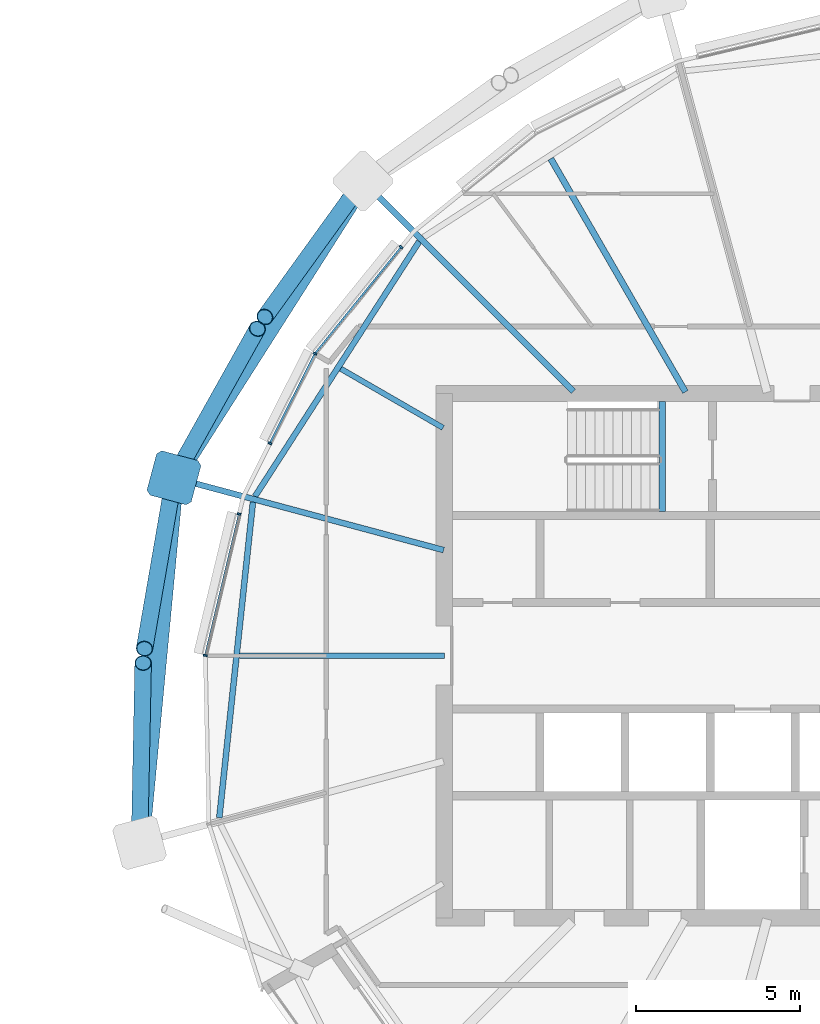
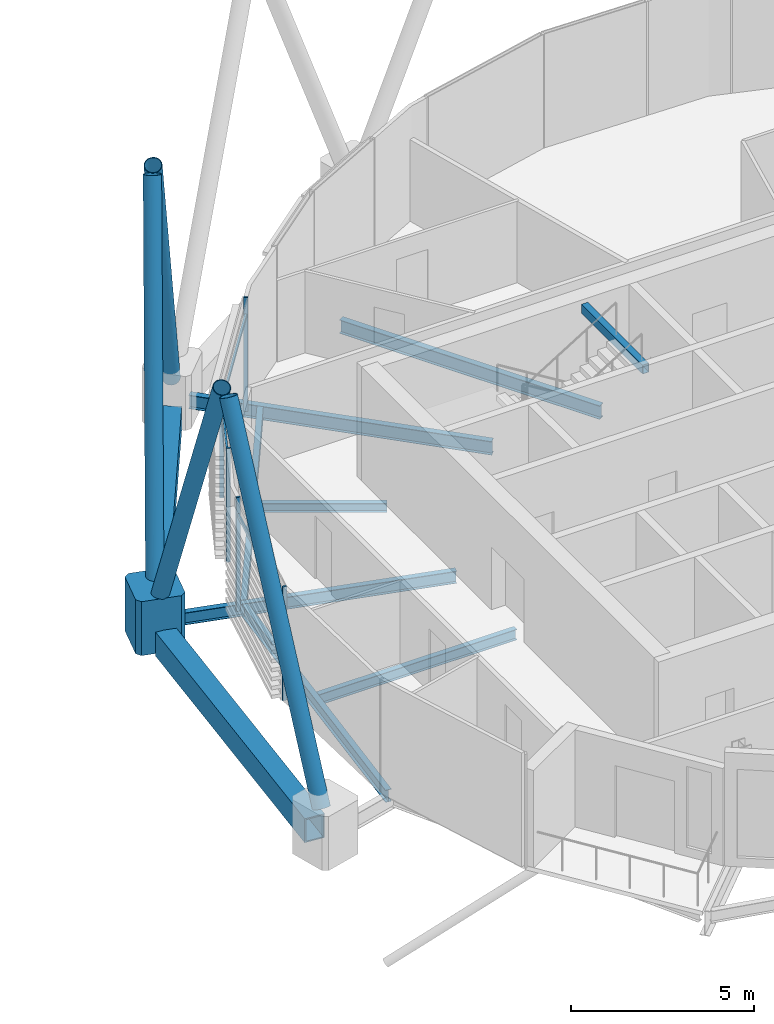
# One storey, part 12 of 32: 13 members, 10 beams, 1 element without a shape of its own.
"""IFC4 building model written with IfcOpenShell, lengths in metres."""

from ifc_helpers import new_model, si_unit, direction, frame, origin, origin_2d, place, context, subcontext, project, spatial, polyline, rectangle, hollow_rectangle, hollow_circle, i_section, outline, extrude, material, material_profile, profile_set, type_object, element, aggregate, save


model = new_model("IFC4")

# Units and contexts
model_context = context("Model", 3, precision=1e-05, world=origin(), true_north=direction((0.0, 1.0)))
body_context = subcontext(model_context, "Body", "Model", "MODEL_VIEW")
ifc_project = project(units=[si_unit("LENGTHUNIT", "METRE"), si_unit("AREAUNIT", "SQUARE_METRE"), si_unit("VOLUMEUNIT", "CUBIC_METRE"), si_unit("PLANEANGLEUNIT", "RADIAN"), si_unit("MASSUNIT", "GRAM", prefix="KILO")], contexts=[model_context])

# Site, building, storey
site_placement = place(None, origin())
site = spatial("IfcSite", under=ifc_project, at=site_placement, CompositionType="ELEMENT")
building_placement = place(site_placement, origin())
building = spatial("IfcBuilding", under=site, at=building_placement, Name="Rimbun Link Towers", CompositionType="ELEMENT")
storey_placement = place(building_placement, frame((0.0, 0.0, 233.300048828125)))
storey = spatial("IfcBuildingStorey", under=building, at=storey_placement, Name="L57", CompositionType="ELEMENT", Elevation=233.300048828125)

# Curtain wall, members
ifc_material_1 = material(Name="Aluminium 6063-T6 and low-iron glass", Category="aluminium")
curtain_wall_type = type_object("IfcCurtainWallType", Name="CW1-Z4 unitised vision wall (zone 4)", PredefinedType="NOTDEFINED", material=ifc_material_1)
curtain_wall_placement = place(storey_placement, origin())
curtain_wall = element("IfcCurtainWall", 1, at=curtain_wall_placement, inside=storey, type_object=curtain_wall_type, Name="CW1 L57 T2", PredefinedType="NOTDEFINED")
ifc_material_2 = material(Name="Aluminium 6063-T6", Category="aluminium")
ifc_material_profile_1 = material_profile(ifc_material_2, rectangle(XDim=0.1201171875, YDim=0.06005859375, at=origin_2d()), Name="MULLION 60X120")
ifc_profile_set_1 = profile_set([ifc_material_profile_1], Name="Aluminium 6063-T6")
member_type_1 = type_object("IfcMemberType", Name="CW1 mullion 60X120", PredefinedType="MULLION", material=ifc_profile_set_1)
member_1_placement = place(storey_placement, frame((15.797607421875, 9.213623046875, 0.0), z_axis=(0.0, 0.0, 1.0), x_axis=(-0.840317451193, 0.542094623862, 0.0)))
member_1 = element("IfcMember", 2, at=member_1_placement, type_object=member_type_1, Name="CW1 mullion", PredefinedType="MULLION", context=body_context, shape_type="SweptSolid", body=[
    extrude(rectangle(XDim=0.1201171875, YDim=0.06005859375, at=origin_2d()), origin(), (0.0, 0.0, 1.0), 3.800048828125),
])
member_2_placement = place(storey_placement, frame((18.430419921875, 12.466796875, 0.0), z_axis=(0.0, 0.0, 1.0), x_axis=(-0.777285317003, 0.629148262313, 0.0)))
member_2 = element("IfcMember", 3, at=member_2_placement, type_object=member_type_1, Name="CW1 mullion", PredefinedType="MULLION", context=body_context, shape_type="SweptSolid", body=[
    extrude(rectangle(XDim=0.1201171875, YDim=0.06005859375, at=origin_2d()), origin(), (0.0, 0.0, 1.0), 3.800048828125),
])
member_3_placement = place(storey_placement, frame((14.424560546875, 6.47998046875, 0.0), z_axis=(0.0, 0.0, 1.0), x_axis=(-0.893642754219, 0.448779041213, 0.0)))
member_3 = element("IfcMember", 4, at=member_3_placement, type_object=member_type_1, Name="CW1 mullion", PredefinedType="MULLION", context=body_context, shape_type="SweptSolid", body=[
    extrude(rectangle(XDim=0.1201171875, YDim=0.06005859375, at=origin_2d()), origin(), (0.0, 0.0, 1.0), 3.800048828125),
])
member_4_placement = place(storey_placement, frame((12.4521484375, 0.00634765625, 0.0), z_axis=(0.0, 0.0, 1.0), x_axis=(-0.994297670519, 0.106640247566, 0.0)))
member_4 = element("IfcMember", 5, at=member_4_placement, type_object=member_type_1, Name="CW1 mullion", PredefinedType="MULLION", context=body_context, shape_type="SweptSolid", body=[
    extrude(rectangle(XDim=0.1201171875, YDim=0.06005859375, at=origin_2d()), origin(), (0.0, 0.0, 1.0), 3.800048828125),
])
member_5_placement = place(storey_placement, frame((13.484130859375, 4.323486328125, 0.0), z_axis=(0.0, 0.0, 1.0), x_axis=(-0.972571783307, 0.23260293703, 0.0)))
member_5 = element("IfcMember", 6, at=member_5_placement, type_object=member_type_1, Name="CW1 mullion", PredefinedType="MULLION", context=body_context, shape_type="SweptSolid", body=[
    extrude(rectangle(XDim=0.1201171875, YDim=0.06005859375, at=origin_2d()), origin(), (0.0, 0.0, 1.0), 3.800048828125),
])
ifc_material_3 = material(Name="Aluminium 6063-T6", Category="aluminium")
ifc_material_profile_2 = material_profile(ifc_material_3, rectangle(XDim=0.06005859375, YDim=0.1201171875, at=origin_2d()), Name="TRANSOM 60X120")
ifc_profile_set_2 = profile_set([ifc_material_profile_2], Name="Aluminium 6063-T6")
member_type_2 = type_object("IfcMemberType", Name="CW1 transom 60X120", PredefinedType="USERDEFINED", material=ifc_profile_set_2)
member_6_placement = place(storey_placement, frame((15.82177734375, 9.24072265625, 3.199951171875), z_axis=(0.629152187404, 0.77728213995, 0.0), x_axis=(-0.77728213995, 0.629152187404, 0.0)))
member_6 = element("IfcMember", 7, at=member_6_placement, type_object=member_type_2, Name="CW1 transom", ObjectType="TRANSOM", PredefinedType="USERDEFINED", context=body_context, shape_type="SweptSolid", body=[
    extrude(rectangle(XDim=0.06005859375, YDim=0.1201171875, at=origin_2d()), origin(), (0.0, 0.0, 1.0), 4.11865234375),
])
member_7_placement = place(storey_placement, frame((14.439697265625, 6.505859375, 3.199951171875), z_axis=(0.448779272577, 0.89364263803, 0.0), x_axis=(-0.89364263803, 0.448779272577, 0.0)))
member_7 = element("IfcMember", 8, at=member_7_placement, type_object=member_type_2, Name="CW1 transom", ObjectType="TRANSOM", PredefinedType="USERDEFINED", context=body_context, shape_type="SweptSolid", body=[
    extrude(rectangle(XDim=0.06005859375, YDim=0.1201171875, at=origin_2d()), origin(), (0.0, 0.0, 1.0), 2.99267578125),
])
member_8_placement = place(storey_placement, frame((12.462158203125, 0.042724609375, 3.199951171875), z_axis=(0.232639830265, 0.97256295908, 0.0), x_axis=(-0.97256295908, 0.232639830265, 0.0)))
member_8 = element("IfcMember", 9, at=member_8_placement, type_object=member_type_2, Name="CW1 transom", ObjectType="TRANSOM", PredefinedType="USERDEFINED", context=body_context, shape_type="SweptSolid", body=[
    extrude(rectangle(XDim=0.06005859375, YDim=0.1201171875, at=origin_2d()), origin(), (0.0, 0.0, 1.0), 4.370849609375),
])
aggregate(curtain_wall, [member_1, member_2, member_3, member_4, member_5, member_6, member_7, member_8])

# Members
ifc_material_4 = material(Name="Steel S355J2H", Category="steel")
ifc_material_profile_3 = material_profile(ifc_material_4, hollow_circle(Radius=0.25390625, WallThickness=0.02001953125, at=origin_2d()), Name="Diagrid diagonal CHS 508x20")
ifc_profile_set_3 = profile_set([ifc_material_profile_3], Name="Steel S355J2H")
member_type_3 = type_object("IfcMemberType", Name="Diagrid diagonal CHS 508x20", PredefinedType="BRACE", material=ifc_profile_set_3)
member_9_placement = place(storey_placement, frame((17.139892578125, 14.314453125, 0.452880859375), z_axis=(-0.247697139231, -0.343505119742, 0.905897543836), x_axis=(0.811115983723, -0.584885340002, 0.0)))
element("IfcMember", 10, at=member_9_placement, inside=storey, type_object=member_type_3, Name="Diagrid diagonal T2 L57-L60 06b", PredefinedType="BRACE", context=body_context, shape_type="SweptSolid", body=[
    extrude(hollow_circle(Radius=0.25390625, WallThickness=0.02001953125, at=origin_2d()), origin(), (0.0, 0.0, 1.0), 11.584228515625),
])
member_10_placement = place(storey_placement, frame((11.601806640625, 5.614501953125, 0.451416015625), z_axis=(0.209871726675, 0.375118936722, 0.902906219745), x_axis=(-0.872699225967, 0.488258190915, 0.0)))
element("IfcMember", 11, at=member_10_placement, inside=storey, type_object=member_type_3, Name="Diagrid diagonal T2 L57-L60 08a", PredefinedType="BRACE", context=body_context, shape_type="SweptSolid", body=[
    extrude(hollow_circle(Radius=0.25390625, WallThickness=0.02001953125, at=origin_2d()), origin(), (0.0, 0.0, 1.0), 11.6259765625),
])
member_11_placement = place(storey_placement, frame((11.4599609375, 5.21240234375, 0.4501953125), z_axis=(-0.073931039685, -0.428636716067, 0.900446981788), x_axis=(0.985449274702, -0.16996978258, 0.0)))
element("IfcMember", 12, at=member_11_placement, inside=storey, type_object=member_type_3, Name="Diagrid diagonal T2 L57-L60 08b", PredefinedType="BRACE", context=body_context, shape_type="SweptSolid", body=[
    extrude(hollow_circle(Radius=0.25390625, WallThickness=0.02001953125, at=origin_2d()), origin(), (0.0, 0.0, 1.0), 11.660400390625),
])
member_12_placement = place(storey_placement, frame((10.450927734375, -5.484375, 0.447021484375), z_axis=(0.008976241176, 0.447710806999, 0.894133357162), x_axis=(-0.999799075466, 0.020045166408, 0.0)))
element("IfcMember", 13, at=member_12_placement, inside=storey, type_object=member_type_3, Name="Diagrid diagonal T2 L57-L60 10a", PredefinedType="BRACE", context=body_context, shape_type="SweptSolid", body=[
    extrude(hollow_circle(Radius=0.25390625, WallThickness=0.02001953125, at=origin_2d()), origin(), (0.0, 0.0, 1.0), 11.749755859375),
])
ifc_material_5 = material(Name="Cast steel G20Mn5+QT, Rp0.2 300 MPa", Category="steel")
ifc_material_profile_4 = material_profile(ifc_material_5, outline(polyline([(0.699951171875, -0.570068359375), (0.699951171875, 0.570068359375), (0.570068359375, 0.699951171875), (-0.570068359375, 0.699951171875), (-0.699951171875, 0.570068359375), (-0.699951171875, -0.570068359375), (-0.570068359375, -0.699951171875), (0.570068359375, -0.699951171875), (0.699951171875, -0.570068359375)])), Name="NODE 1400x1400")
ifc_profile_set_4 = profile_set([ifc_material_profile_4], Name="Cast steel G20Mn5+QT, Rp0.2 300 MPa")
member_type_4 = type_object("IfcMemberType", Name="Diagrid node cast 1400", PredefinedType="USERDEFINED", material=ifc_profile_set_4)
member_13_placement = place(storey_placement, frame((11.4970703125, 5.4267578125, -0.900146484375), z_axis=(0.0, 0.0, 1.0), x_axis=(-0.965925826289, 0.258819045103, 0.0)))
element("IfcMember", 14, at=member_13_placement, inside=storey, type_object=member_type_4, Name="Diagrid node L57 08", ObjectType="Diagrid node", PredefinedType="USERDEFINED", context=body_context, shape_type="SweptSolid", body=[
    extrude(outline(polyline([(0.699951171875, -0.570068359375), (0.699951171875, 0.570068359375), (0.570068359375, 0.699951171875), (-0.570068359375, 0.699951171875), (-0.699951171875, 0.570068359375), (-0.699951171875, -0.570068359375), (-0.570068359375, -0.699951171875), (0.570068359375, -0.699951171875), (0.699951171875, -0.570068359375)])), origin(), (0.0, 0.0, 1.0), 1.800048828125),
])

# Beams
ifc_material_6 = material(Name="Steel S355J2", Category="steel")
ifc_material_profile_5 = material_profile(ifc_material_6, hollow_rectangle(XDim=0.60009765625, YDim=0.800048828125, WallThickness=0.0400390625, at=origin_2d()), Name="Exoskeleton ring girder BOX 600x800x40")
ifc_profile_set_5 = profile_set([ifc_material_profile_5], Name="Steel S355J2")
beam_type_1 = type_object("IfcBeamType", Name="Exoskeleton ring girder BOX 600x800x40", PredefinedType="BEAM", material=ifc_profile_set_5)
beam_1_placement = place(storey_placement, frame((16.8876953125, 13.895751953125, -0.56005859375), z_axis=(-0.536978671392, -0.843595819377, 0.0), x_axis=(0.843595819377, -0.536978671392, 0.0)))
element("IfcBeam", 15, at=beam_1_placement, inside=storey, type_object=beam_type_1, Name="Exoskeleton ring girder L57 03", PredefinedType="BEAM", context=body_context, shape_type="SweptSolid", body=[
    extrude(hollow_rectangle(XDim=0.60009765625, YDim=0.800048828125, WallThickness=0.0400390625, at=origin_2d()), origin(), (0.0, 0.0, 1.0), 9.339111328125),
])
beam_2_placement = place(storey_placement, frame((11.43115234375, 4.72998046875, -0.56005859375), z_axis=(-0.093916528463, -0.995580074972, 0.0), x_axis=(0.995580074972, -0.093916528463, 0.0)))
element("IfcBeam", 16, at=beam_2_placement, inside=storey, type_object=beam_type_1, Name="Exoskeleton ring girder L57 04", PredefinedType="BEAM", context=body_context, shape_type="SweptSolid", body=[
    extrude(hollow_rectangle(XDim=0.60009765625, YDim=0.800048828125, WallThickness=0.0400390625, at=origin_2d()), origin(), (0.0, 0.0, 1.0), 9.78466796875),
])
ifc_material_7 = material(Name="Steel S355J2", Category="steel")
ifc_material_profile_6 = material_profile(ifc_material_7, hollow_rectangle(XDim=0.199951171875, YDim=0.300048828125, WallThickness=0.011962890625, at=origin_2d()), Name="BOX 300x200x12")
ifc_profile_set_6 = profile_set([ifc_material_profile_6], Name="Steel S355J2")
beam_type_2 = type_object("IfcBeamType", Name="Stair trimmer beam BOX 300x200x12", PredefinedType="BEAM", material=ifc_profile_set_6)
beam_3_placement = place(storey_placement, frame((26.39990234375, 7.75, 3.510009765625), z_axis=(0.0, -1.0, 0.0), x_axis=(1.0, 0.0, 0.0)))
element("IfcBeam", 17, at=beam_3_placement, inside=storey, type_object=beam_type_2, Name="L57 ST3 stair beam 1", PredefinedType="BEAM", context=body_context, shape_type="SweptSolid", body=[
    extrude(hollow_rectangle(XDim=0.199951171875, YDim=0.300048828125, WallThickness=0.011962890625, at=origin_2d()), origin(), (0.0, 0.0, 1.0), 3.35009765625),
])
ifc_material_8 = material(Name="Steel S355J2", Category="steel")
ifc_material_profile_7 = material_profile(ifc_material_8, i_section(OverallWidth=0.1650390625, OverallDepth=0.303466796875, WebThickness=0.006103515625, FlangeThickness=0.01025390625, at=origin_2d()), Name="UB 305x165x40")
ifc_profile_set_7 = profile_set([ifc_material_profile_7], Name="Steel S355J2")
beam_type_3 = type_object("IfcBeamType", Name="UB 305x165x40", PredefinedType="BEAM", material=ifc_profile_set_7)
beam_4_placement = place(storey_placement, frame((19.7080078125, 6.952392578125, -0.291748046875), z_axis=(-0.866013024682, 0.500021440621, 0.0), x_axis=(-0.500021440621, -0.866013024682, 0.0)))
element("IfcBeam", 18, at=beam_4_placement, inside=storey, type_object=beam_type_3, Name="Radial beam T2 L57 07", PredefinedType="BEAM", context=body_context, shape_type="SweptSolid", body=[
    extrude(i_section(OverallWidth=0.1650390625, OverallDepth=0.303466796875, WebThickness=0.006103515625, FlangeThickness=0.01025390625, at=origin_2d()), origin(), (0.0, 0.0, 1.0), 3.604736328125),
])
ifc_material_9 = material(Name="Steel S355J2", Category="steel")
ifc_material_profile_8 = material_profile(ifc_material_9, i_section(OverallWidth=0.17138671875, OverallDepth=0.35498046875, WebThickness=0.00732421875, FlangeThickness=0.011474609375, at=origin_2d()), Name="UB 356x171x51")
ifc_profile_set_8 = profile_set([ifc_material_profile_8], Name="Steel S355J2")
beam_type_4 = type_object("IfcBeamType", Name="UB 356x171x51", PredefinedType="BEAM", material=ifc_profile_set_8)
beam_5_placement = place(storey_placement, frame((19.7490234375, 0.0, -0.317626953125), z_axis=(-1.0, 0.0, 0.0), x_axis=(0.0, -1.0, 0.0)))
element("IfcBeam", 19, at=beam_5_placement, inside=storey, type_object=beam_type_4, Name="Radial beam T2 L57 09", PredefinedType="BEAM", context=body_context, shape_type="SweptSolid", body=[
    extrude(i_section(OverallWidth=0.17138671875, OverallDepth=0.35498046875, WebThickness=0.00732421875, FlangeThickness=0.011474609375, at=origin_2d()), origin(), (0.0, 0.0, 1.0), 6.2509765625),
])
ifc_material_10 = material(Name="Steel S355J2", Category="steel")
ifc_material_profile_9 = material_profile(ifc_material_10, i_section(OverallWidth=0.177978515625, OverallDepth=0.406494140625, WebThickness=0.0078125, FlangeThickness=0.0126953125, at=origin_2d()), Name="UB 406x178x60")
ifc_profile_set_9 = profile_set([ifc_material_profile_9], Name="Steel S355J2")
beam_type_5 = type_object("IfcBeamType", Name="UB 406x178x60", PredefinedType="BEAM", material=ifc_profile_set_9)
beam_6_placement = place(storey_placement, frame((19.72607421875, 3.2216796875, -0.34326171875), z_axis=(-0.965921959643, 0.258833475192, 0.0), x_axis=(-0.258833475192, -0.965921959643, 0.0)))
element("IfcBeam", 20, at=beam_6_placement, inside=storey, type_object=beam_type_5, Name="Radial beam T2 L57 08", PredefinedType="BEAM", context=body_context, shape_type="SweptSolid", body=[
    extrude(i_section(OverallWidth=0.177978515625, OverallDepth=0.406494140625, WebThickness=0.0078125, FlangeThickness=0.0126953125, at=origin_2d()), origin(), (0.0, 0.0, 1.0), 8.019287109375),
])
beam_7_placement = place(storey_placement, frame((18.979248046875, 12.635009765625, -0.34326171875), z_axis=(-0.541637526174, -0.840612152089, 0.0), x_axis=(0.840612152089, -0.541637526174, 0.0)))
element("IfcBeam", 21, at=beam_7_placement, inside=storey, type_object=beam_type_5, Name="Edge beam T2 L57 06-08", PredefinedType="BEAM", context=body_context, shape_type="SweptSolid", body=[
    extrude(i_section(OverallWidth=0.177978515625, OverallDepth=0.406494140625, WebThickness=0.0078125, FlangeThickness=0.0126953125, at=origin_2d()), origin(), (0.0, 0.0, 1.0), 9.251953125),
])
beam_8_placement = place(storey_placement, frame((13.9072265625, 4.687744140625, -0.34326171875), z_axis=(-0.105980605546, -0.994368197022, 0.0), x_axis=(0.994368197022, -0.105980605546, 0.0)))
element("IfcBeam", 22, at=beam_8_placement, inside=storey, type_object=beam_type_5, Name="Edge beam T2 L57 08-10", PredefinedType="BEAM", context=body_context, shape_type="SweptSolid", body=[
    extrude(i_section(OverallWidth=0.177978515625, OverallDepth=0.406494140625, WebThickness=0.0078125, FlangeThickness=0.0126953125, at=origin_2d()), origin(), (0.0, 0.0, 1.0), 9.689208984375),
])
ifc_material_11 = material(Name="Steel S355J2", Category="steel")
ifc_material_profile_10 = material_profile(ifc_material_11, i_section(OverallWidth=0.18994140625, OverallDepth=0.453369140625, WebThickness=0.008544921875, FlangeThickness=0.0126953125, at=origin_2d()), Name="UB 457x191x67")
ifc_profile_set_10 = profile_set([ifc_material_profile_10], Name="Steel S355J2")
beam_type_6 = type_object("IfcBeamType", Name="UB 457x191x67", PredefinedType="BEAM", material=ifc_profile_set_10)
beam_9_placement = place(storey_placement, frame((27.103271484375, 8.04833984375, -0.36669921875), z_axis=(-0.500002817014, 0.866023777374, 0.0), x_axis=(-0.866023777374, -0.500002817014, 0.0)))
element("IfcBeam", 23, at=beam_9_placement, inside=storey, type_object=beam_type_6, Name="Radial beam T2 L57 05", PredefinedType="BEAM", context=body_context, shape_type="SweptSolid", body=[
    extrude(i_section(OverallWidth=0.18994140625, OverallDepth=0.453369140625, WebThickness=0.008544921875, FlangeThickness=0.0126953125, at=origin_2d()), origin(), (0.0, 0.0, 1.0), 8.21630859375),
])
beam_10_placement = place(storey_placement, frame((23.68212890625, 8.06787109375, -0.36669921875), z_axis=(-0.707106781187, 0.707106781187, 0.0), x_axis=(-0.707106781187, -0.707106781187, 0.0)))
element("IfcBeam", 24, at=beam_10_placement, inside=storey, type_object=beam_type_6, Name="Radial beam T2 L57 06", PredefinedType="BEAM", context=body_context, shape_type="SweptSolid", body=[
    extrude(i_section(OverallWidth=0.18994140625, OverallDepth=0.453369140625, WebThickness=0.008544921875, FlangeThickness=0.0126953125, at=origin_2d()), origin(), (0.0, 0.0, 1.0), 8.5771484375),
])

save(model, "model.ifc")
